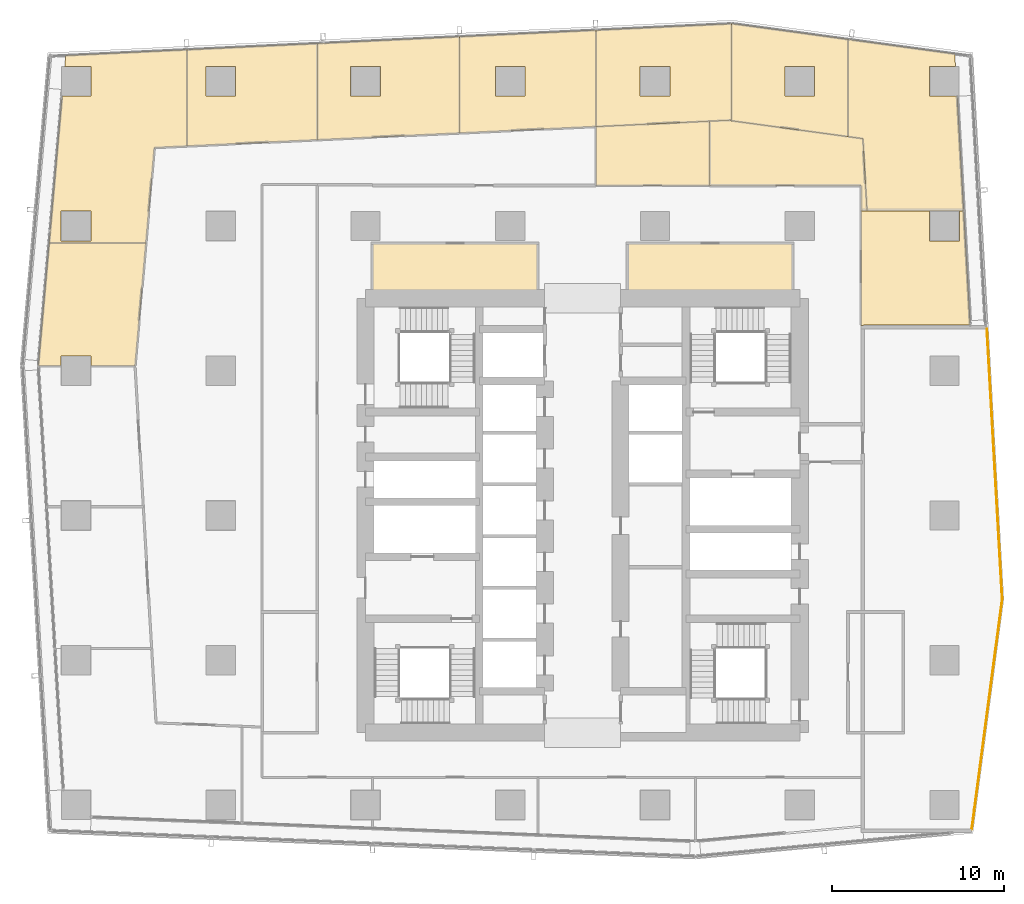
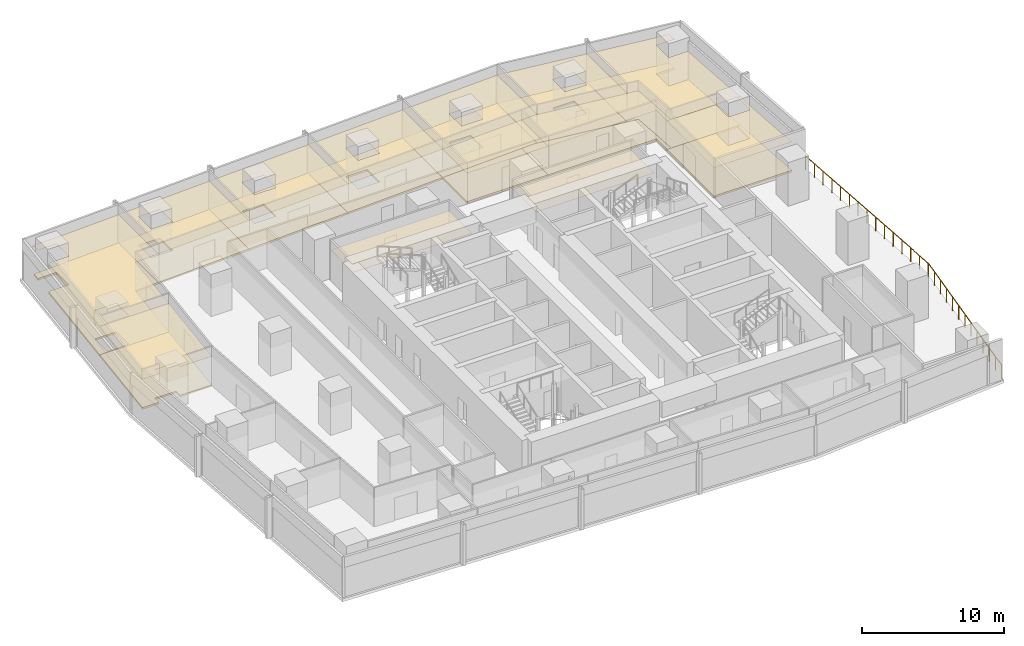
# One storey, part 34 of 34: 24 coverings, 1 railing.
"""IFC4 building model written with IfcOpenShell, lengths in metres."""

from ifc_helpers import new_model, si_unit, direction, frame, origin, origin_2d, place, context, subcontext, project, spatial, polyline, circle, outline, extrude, material, layer, layer_set, type_object, element, save


model = new_model("IFC4")

# Units and contexts
model_context = context("Model", 3, precision=1e-05, world=origin(), true_north=direction((0.0, 1.0)))
body_context = subcontext(model_context, "Body", "Model", "MODEL_VIEW")
ifc_project = project(units=[si_unit("LENGTHUNIT", "METRE"), si_unit("AREAUNIT", "SQUARE_METRE"), si_unit("VOLUMEUNIT", "CUBIC_METRE"), si_unit("PLANEANGLEUNIT", "RADIAN"), si_unit("MASSUNIT", "GRAM", prefix="KILO")], contexts=[model_context])

# Site, building, storey
site_placement = place(None, origin())
site = spatial("IfcSite", under=ifc_project, at=site_placement, CompositionType="ELEMENT")
building_placement = place(site_placement, origin())
building = spatial("IfcBuilding", under=site, at=building_placement, Name="Rekha Terrace Tower", CompositionType="ELEMENT")
storey_placement = place(building_placement, frame((0.0, 0.0, 176.449951171875)))
storey = spatial("IfcBuildingStorey", under=building, at=storey_placement, Name="L44", CompositionType="ELEMENT", Elevation=176.449951171875)

# Coverings
ifc_material_1 = material(Name="Mineral fibre tile in exposed grid", Category="finish")
ifc_layer_1 = layer(ifc_material_1, 0.02001953125)
ifc_layer_set_1 = layer_set([ifc_layer_1], Name="Mineral fibre tile in exposed grid")
covering_type_1 = type_object("IfcCoveringType", Name="CL1 600x1200 office grid ceiling", PredefinedType="CEILING", material=ifc_layer_set_1)
covering_1_placement = place(storey_placement, frame((0.0, 0.0, 2.580078125)))
element("IfcCovering", 1, at=covering_1_placement, inside=storey, type_object=covering_type_1, Name="Ceiling L44-02", PredefinedType="CEILING", context=body_context, shape_type="SweptSolid", body=[
    extrude(outline(polyline([(54.0849609375, 44.62890625), (54.0849609375, 44.660888671875), (60.284912109375, 44.660888671875), (59.908935546875, 51.27587890625), (59.6650390625, 51.27587890625), (59.6650390625, 49.534912109375), (57.93505859375, 49.534912109375), (57.93505859375, 51.27587890625), (53.955078125, 51.27587890625), (53.955078125, 44.62890625), (54.0849609375, 44.62890625)])), origin(), (0.0, 0.0, 1.0), 0.02001953125),
])
covering_2_placement = place(storey_placement, frame((0.0, 0.0, 2.580078125)))
element("IfcCovering", 2, at=covering_2_placement, inside=storey, type_object=covering_type_1, Name="Ceiling L44-03", PredefinedType="CEILING", context=body_context, shape_type="SweptSolid", body=[
    extrude(outline(polyline([(59.39208984375, 60.39208984375), (53.2041015625, 61.23388671875), (53.2041015625, 55.58203125), (54.06298828125, 55.466064453125), (54.300048828125, 51.277099609375), (59.908935546875, 51.277099609375), (59.531005859375, 57.93505859375), (57.93505859375, 57.93505859375), (57.93505859375, 59.6650390625), (59.43310546875, 59.6650390625), (59.39208984375, 60.39208984375)])), origin(), (0.0, 0.0, 1.0), 0.02001953125),
])
covering_3_placement = place(storey_placement, frame((0.0, 0.0, 2.580078125)))
element("IfcCovering", 3, at=covering_3_placement, inside=storey, type_object=covering_type_1, Name="Ceiling L44-04", PredefinedType="CEILING", context=body_context, shape_type="SweptSolid", body=[
    extrude(outline(polyline([(53.202880859375, 55.5830078125), (53.202880859375, 61.23388671875), (46.445068359375, 62.154052734375), (46.445068359375, 56.501953125), (53.202880859375, 55.5830078125)]), holes=[polyline([(51.264892578125, 57.93505859375), (49.534912109375, 57.93505859375), (49.534912109375, 59.6650390625), (51.264892578125, 59.6650390625), (51.264892578125, 57.93505859375)])]), origin(), (0.0, 0.0, 1.0), 0.02001953125),
])
covering_4_placement = place(storey_placement, frame((0.0, 0.0, 2.580078125)))
element("IfcCovering", 4, at=covering_4_placement, inside=storey, type_object=covering_type_1, Name="Ceiling L44-05", PredefinedType="CEILING", context=body_context, shape_type="SweptSolid", body=[
    extrude(outline(polyline([(46.444091796875, 62.14697265625), (38.571044921875, 61.77099609375), (38.571044921875, 56.1650390625), (46.444091796875, 56.541015625), (46.444091796875, 62.14697265625)]), holes=[polyline([(42.864990234375, 59.6650390625), (42.864990234375, 57.93505859375), (41.135009765625, 57.93505859375), (41.135009765625, 59.6650390625), (42.864990234375, 59.6650390625)])]), origin(), (0.0, 0.0, 1.0), 0.02001953125),
])
covering_5_placement = place(storey_placement, frame((0.0, 0.0, 2.580078125)))
element("IfcCovering", 5, at=covering_5_placement, inside=storey, type_object=covering_type_1, Name="Ceiling L44-06", PredefinedType="CEILING", context=body_context, shape_type="SweptSolid", body=[
    extrude(outline(polyline([(45.1708984375, 52.75), (45.1708984375, 56.47998046875), (38.571044921875, 56.1650390625), (38.571044921875, 52.75), (45.1708984375, 52.75)])), origin(), (0.0, 0.0, 1.0), 0.02001953125),
])
covering_6_placement = place(storey_placement, frame((0.0, 0.0, 2.580078125)))
element("IfcCovering", 6, at=covering_6_placement, inside=storey, type_object=covering_type_1, Name="Ceiling L44-O1", PredefinedType="CEILING", context=body_context, shape_type="SweptSolid", body=[
    extrude(outline(polyline([(53.2041015625, 55.5830078125), (46.444091796875, 56.501953125), (46.23291015625, 56.531005859375), (45.1708984375, 56.47998046875), (45.1708984375, 52.75), (53.955078125, 52.75), (53.955078125, 51.27587890625), (54.300048828125, 51.27587890625), (54.06298828125, 55.466064453125), (53.2041015625, 55.58203125), (53.2041015625, 55.5830078125)])), origin(), (0.0, 0.0, 1.0), 0.02001953125),
])
covering_7_placement = place(storey_placement, frame((0.0, 0.0, 2.580078125)))
element("IfcCovering", 7, at=covering_7_placement, inside=storey, type_object=covering_type_1, Name="Ceiling L44-09", PredefinedType="CEILING", context=body_context, shape_type="SweptSolid", body=[
    extrude(outline(polyline([(30.662109375, 61.39306640625), (30.662109375, 55.785888671875), (38.570068359375, 56.1640625), (38.570068359375, 61.77099609375), (30.662109375, 61.39306640625)]), holes=[polyline([(34.465087890625, 57.93505859375), (32.735107421875, 57.93505859375), (32.735107421875, 59.6650390625), (34.465087890625, 59.6650390625), (34.465087890625, 57.93505859375)])]), origin(), (0.0, 0.0, 1.0), 0.02001953125),
])
covering_8_placement = place(storey_placement, frame((0.0, 0.0, 2.580078125)))
element("IfcCovering", 8, at=covering_8_placement, inside=storey, type_object=covering_type_1, Name="Ceiling L44-10", PredefinedType="CEILING", context=body_context, shape_type="SweptSolid", body=[
    extrude(outline(polyline([(22.40087890625, 60.998046875), (22.40087890625, 55.39208984375), (30.660888671875, 55.785888671875), (30.660888671875, 61.39306640625), (22.40087890625, 60.998046875)]), holes=[polyline([(26.06494140625, 57.93505859375), (24.3349609375, 57.93505859375), (24.3349609375, 59.6650390625), (26.06494140625, 59.6650390625), (26.06494140625, 57.93505859375)])]), origin(), (0.0, 0.0, 1.0), 0.02001953125),
])
covering_9_placement = place(storey_placement, frame((0.0, 0.0, 2.580078125)))
element("IfcCovering", 9, at=covering_9_placement, inside=storey, type_object=covering_type_1, Name="Ceiling L44-11", PredefinedType="CEILING", context=body_context, shape_type="SweptSolid", body=[
    extrude(outline(polyline([(14.843017578125, 60.636962890625), (14.843017578125, 55.030029296875), (22.39990234375, 55.39208984375), (22.39990234375, 60.998046875), (14.843017578125, 60.636962890625)]), holes=[polyline([(17.6650390625, 59.6650390625), (17.6650390625, 57.93505859375), (15.93505859375, 57.93505859375), (15.93505859375, 59.6650390625), (17.6650390625, 59.6650390625)])]), origin(), (0.0, 0.0, 1.0), 0.02001953125),
])
covering_10_placement = place(storey_placement, frame((0.0, 0.0, 2.580078125)))
element("IfcCovering", 10, at=covering_10_placement, inside=storey, type_object=covering_type_1, Name="Ceiling L44-12", PredefinedType="CEILING", context=body_context, shape_type="SweptSolid", body=[
    extrude(outline(polyline([(12.948974609375, 54.93994140625), (14.842041015625, 55.030029296875), (14.842041015625, 60.636962890625), (7.801025390625, 60.300048828125), (7.7451171875, 59.6650390625), (9.264892578125, 59.6650390625), (9.264892578125, 57.93505859375), (7.592041015625, 57.93505859375), (6.839111328125, 49.406005859375), (12.4609375, 49.406005859375), (12.948974609375, 54.93994140625)]), holes=[polyline([(9.264892578125, 49.534912109375), (7.534912109375, 49.534912109375), (7.534912109375, 51.264892578125), (9.264892578125, 51.264892578125), (9.264892578125, 49.534912109375)])]), origin(), (0.0, 0.0, 1.0), 0.02001953125),
])
covering_11_placement = place(storey_placement, frame((0.0, 0.0, 2.580078125)))
element("IfcCovering", 11, at=covering_11_placement, inside=storey, type_object=covering_type_1, Name="Ceiling L44-13", PredefinedType="CEILING", context=body_context, shape_type="SweptSolid", body=[
    extrude(outline(polyline([(11.83203125, 42.282958984375), (12.4609375, 49.405029296875), (6.839111328125, 49.405029296875), (6.2099609375, 42.282958984375), (7.534912109375, 42.282958984375), (7.534912109375, 42.864990234375), (9.264892578125, 42.864990234375), (9.264892578125, 42.282958984375), (11.83203125, 42.282958984375)])), origin(), (0.0, 0.0, 1.0), 0.02001953125),
])
ifc_material_2 = material(Name="Fibre cement board", Category="finish")
ifc_layer_2 = layer(ifc_material_2, 0.014892578125)
ifc_layer_set_2 = layer_set([ifc_layer_2], Name="Fibre cement board")
covering_type_2 = type_object("IfcCoveringType", Name="CL2 moisture-resistant board ceiling", PredefinedType="CEILING", material=ifc_layer_set_2)
covering_12_placement = place(storey_placement, frame((0.0, 0.0, 2.5849609375)))
element("IfcCovering", 12, at=covering_12_placement, inside=storey, type_object=covering_type_2, Name="Ceiling L44-WCF", PredefinedType="CEILING", context=body_context, shape_type="SweptSolid", body=[
    extrude(outline(polyline([(50.0, 49.39990234375), (40.39990234375, 49.39990234375), (40.39990234375, 46.199951171875), (50.0, 46.199951171875), (50.0, 49.39990234375)])), origin(), (0.0, 0.0, 1.0), 0.01513671875),
])
covering_13_placement = place(storey_placement, frame((0.0, 0.0, 2.5849609375)))
element("IfcCovering", 13, at=covering_13_placement, inside=storey, type_object=covering_type_2, Name="Ceiling L44-WCF2", PredefinedType="CEILING", context=body_context, shape_type="SweptSolid", body=[
    extrude(outline(polyline([(35.199951171875, 49.39990234375), (25.60009765625, 49.39990234375), (25.60009765625, 46.199951171875), (35.199951171875, 46.199951171875), (35.199951171875, 49.39990234375)])), origin(), (0.0, 0.0, 1.0), 0.01513671875),
])

# Railing
ifc_material_3 = material(Name="Steel guard with vertical balusters", Category="steel")
railing_type = type_object("IfcRailingType", Name="GR2 refuge area guard 1200", PredefinedType="GUARDRAIL", material=ifc_material_3)
railing_placement = place(storey_placement, frame((60.382080078125, 15.39697265625, 0.0)))
element("IfcRailing", 14, at=railing_placement, inside=storey, type_object=railing_type, Name="Refuge area guard L44", PredefinedType="GUARDRAIL", context=body_context, shape_type="SweptSolid", body=[
    extrude(circle(Radius=0.02392578125, at=origin_2d()), frame((0.0, 0.0, 1.17578125), z_axis=(0.131304901282, 0.991342031238, 0.0), x_axis=(-0.991342031238, 0.131304901282, 0.0)), (0.0, 0.0, 1.0), 13.46337890625),
    extrude(circle(Radius=0.02392578125, at=origin_2d()), frame((1.767822265625, 13.346923828125, 1.17578125), z_axis=(-0.05670943861, 0.998390724903, 0.0), x_axis=(-0.998390724903, -0.05670943861, 0.0)), (0.0, 0.0, 1.0), 15.70947265625),
    extrude(circle(Radius=0.02099609375, at=origin_2d()), origin(), (0.0, 0.0, 1.0), 1.15185546875),
    extrude(circle(Radius=0.02099609375, at=origin_2d()), frame((0.147216796875, 1.1123046875, 0.0)), (0.0, 0.0, 1.0), 1.15185546875),
    extrude(circle(Radius=0.02099609375, at=origin_2d()), frame((0.294677734375, 2.224609375, 0.0)), (0.0, 0.0, 1.0), 1.15185546875),
    extrude(circle(Radius=0.02099609375, at=origin_2d()), frame((0.44189453125, 3.336669921875, 0.0)), (0.0, 0.0, 1.0), 1.15185546875),
    extrude(circle(Radius=0.02099609375, at=origin_2d()), frame((0.58935546875, 4.448974609375, 0.0)), (0.0, 0.0, 1.0), 1.15185546875),
    extrude(circle(Radius=0.02099609375, at=origin_2d()), frame((0.736572265625, 5.561279296875, 0.0)), (0.0, 0.0, 1.0), 1.15185546875),
    extrude(circle(Radius=0.02099609375, at=origin_2d()), frame((0.8837890625, 6.67333984375, 0.0)), (0.0, 0.0, 1.0), 1.15185546875),
    extrude(circle(Radius=0.02099609375, at=origin_2d()), frame((1.03125, 7.78564453125, 0.0)), (0.0, 0.0, 1.0), 1.15185546875),
    extrude(circle(Radius=0.02099609375, at=origin_2d()), frame((1.178466796875, 8.89794921875, 0.0)), (0.0, 0.0, 1.0), 1.15185546875),
    extrude(circle(Radius=0.02099609375, at=origin_2d()), frame((1.325927734375, 10.01025390625, 0.0)), (0.0, 0.0, 1.0), 1.15185546875),
    extrude(circle(Radius=0.02099609375, at=origin_2d()), frame((1.47314453125, 11.12255859375, 0.0)), (0.0, 0.0, 1.0), 1.15185546875),
    extrude(circle(Radius=0.02099609375, at=origin_2d()), frame((1.62060546875, 12.234619140625, 0.0)), (0.0, 0.0, 1.0), 1.15185546875),
    extrude(circle(Radius=0.02099609375, at=origin_2d()), frame((1.767822265625, 13.346923828125, 0.0)), (0.0, 0.0, 1.0), 1.15185546875),
    extrude(circle(Radius=0.02099609375, at=origin_2d()), frame((1.7041015625, 14.46728515625, 0.0)), (0.0, 0.0, 1.0), 1.15185546875),
    extrude(circle(Radius=0.02099609375, at=origin_2d()), frame((1.640625, 15.58740234375, 0.0)), (0.0, 0.0, 1.0), 1.15185546875),
    extrude(circle(Radius=0.02099609375, at=origin_2d()), frame((1.576904296875, 16.707763671875, 0.0)), (0.0, 0.0, 1.0), 1.15185546875),
    extrude(circle(Radius=0.02099609375, at=origin_2d()), frame((1.51318359375, 17.828125, 0.0)), (0.0, 0.0, 1.0), 1.15185546875),
    extrude(circle(Radius=0.02099609375, at=origin_2d()), frame((1.44970703125, 18.948486328125, 0.0)), (0.0, 0.0, 1.0), 1.15185546875),
    extrude(circle(Radius=0.02099609375, at=origin_2d()), frame((1.385986328125, 20.068603515625, 0.0)), (0.0, 0.0, 1.0), 1.15185546875),
    extrude(circle(Radius=0.02099609375, at=origin_2d()), frame((1.322265625, 21.18896484375, 0.0)), (0.0, 0.0, 1.0), 1.15185546875),
    extrude(circle(Radius=0.02099609375, at=origin_2d()), frame((1.2587890625, 22.309326171875, 0.0)), (0.0, 0.0, 1.0), 1.15185546875),
    extrude(circle(Radius=0.02099609375, at=origin_2d()), frame((1.195068359375, 23.429443359375, 0.0)), (0.0, 0.0, 1.0), 1.15185546875),
    extrude(circle(Radius=0.02099609375, at=origin_2d()), frame((1.131591796875, 24.5498046875, 0.0)), (0.0, 0.0, 1.0), 1.15185546875),
    extrude(circle(Radius=0.02099609375, at=origin_2d()), frame((1.06787109375, 25.670166015625, 0.0)), (0.0, 0.0, 1.0), 1.15185546875),
    extrude(circle(Radius=0.02099609375, at=origin_2d()), frame((1.004150390625, 26.79052734375, 0.0)), (0.0, 0.0, 1.0), 1.15185546875),
    extrude(circle(Radius=0.02099609375, at=origin_2d()), frame((0.940673828125, 27.91064453125, 0.0)), (0.0, 0.0, 1.0), 1.15185546875),
    extrude(circle(Radius=0.02099609375, at=origin_2d()), frame((0.876953125, 29.031005859375, 0.0)), (0.0, 0.0, 1.0), 1.15185546875),
])

# Coverings
ifc_material_4 = material(Name="Calcium sulphate panels on steel pedestals", Category="steel")
ifc_layer_3 = layer(ifc_material_4, 0.14990234375)
ifc_layer_set_3 = layer_set([ifc_layer_3], Name="Calcium sulphate panels on steel pedestals")
covering_type_3 = type_object("IfcCoveringType", Name="RF1 150 raised access floor", PredefinedType="FLOORING", material=ifc_layer_set_3)
covering_14_placement = place(storey_placement, origin())
element("IfcCovering", 15, at=covering_14_placement, inside=storey, type_object=covering_type_3, Name="Raised floor L44-02", PredefinedType="FLOORING", context=body_context, shape_type="SweptSolid", body=[
    extrude(outline(polyline([(54.0849609375, 44.62890625), (54.0849609375, 44.660888671875), (60.284912109375, 44.660888671875), (59.908935546875, 51.27587890625), (59.6650390625, 51.27587890625), (59.6650390625, 49.534912109375), (57.93505859375, 49.534912109375), (57.93505859375, 51.27587890625), (53.955078125, 51.27587890625), (53.955078125, 44.62890625), (54.0849609375, 44.62890625)])), origin(), (0.0, 0.0, 1.0), 0.150146484375),
])
covering_15_placement = place(storey_placement, origin())
element("IfcCovering", 16, at=covering_15_placement, inside=storey, type_object=covering_type_3, Name="Raised floor L44-03", PredefinedType="FLOORING", context=body_context, shape_type="SweptSolid", body=[
    extrude(outline(polyline([(59.39208984375, 60.39208984375), (53.2041015625, 61.23388671875), (53.2041015625, 55.58203125), (54.06298828125, 55.466064453125), (54.300048828125, 51.277099609375), (59.908935546875, 51.277099609375), (59.531005859375, 57.93505859375), (57.93505859375, 57.93505859375), (57.93505859375, 59.6650390625), (59.43310546875, 59.6650390625), (59.39208984375, 60.39208984375)])), origin(), (0.0, 0.0, 1.0), 0.150146484375),
])
covering_16_placement = place(storey_placement, origin())
element("IfcCovering", 17, at=covering_16_placement, inside=storey, type_object=covering_type_3, Name="Raised floor L44-04", PredefinedType="FLOORING", context=body_context, shape_type="SweptSolid", body=[
    extrude(outline(polyline([(53.202880859375, 55.5830078125), (53.202880859375, 61.23388671875), (46.445068359375, 62.154052734375), (46.445068359375, 56.501953125), (53.202880859375, 55.5830078125)]), holes=[polyline([(51.264892578125, 57.93505859375), (49.534912109375, 57.93505859375), (49.534912109375, 59.6650390625), (51.264892578125, 59.6650390625), (51.264892578125, 57.93505859375)])]), origin(), (0.0, 0.0, 1.0), 0.150146484375),
])
covering_17_placement = place(storey_placement, origin())
element("IfcCovering", 18, at=covering_17_placement, inside=storey, type_object=covering_type_3, Name="Raised floor L44-05", PredefinedType="FLOORING", context=body_context, shape_type="SweptSolid", body=[
    extrude(outline(polyline([(46.444091796875, 62.14697265625), (38.571044921875, 61.77099609375), (38.571044921875, 56.1650390625), (46.444091796875, 56.541015625), (46.444091796875, 62.14697265625)]), holes=[polyline([(42.864990234375, 59.6650390625), (42.864990234375, 57.93505859375), (41.135009765625, 57.93505859375), (41.135009765625, 59.6650390625), (42.864990234375, 59.6650390625)])]), origin(), (0.0, 0.0, 1.0), 0.150146484375),
])
covering_18_placement = place(storey_placement, origin())
element("IfcCovering", 19, at=covering_18_placement, inside=storey, type_object=covering_type_3, Name="Raised floor L44-06", PredefinedType="FLOORING", context=body_context, shape_type="SweptSolid", body=[
    extrude(outline(polyline([(45.1708984375, 52.75), (45.1708984375, 56.47998046875), (38.571044921875, 56.1650390625), (38.571044921875, 52.75), (45.1708984375, 52.75)])), origin(), (0.0, 0.0, 1.0), 0.150146484375),
])
covering_19_placement = place(storey_placement, origin())
element("IfcCovering", 20, at=covering_19_placement, inside=storey, type_object=covering_type_3, Name="Raised floor L44-O1", PredefinedType="FLOORING", context=body_context, shape_type="SweptSolid", body=[
    extrude(outline(polyline([(53.2041015625, 55.5830078125), (46.444091796875, 56.501953125), (46.23291015625, 56.531005859375), (45.1708984375, 56.47998046875), (45.1708984375, 52.75), (53.955078125, 52.75), (53.955078125, 51.27587890625), (54.300048828125, 51.27587890625), (54.06298828125, 55.466064453125), (53.2041015625, 55.58203125), (53.2041015625, 55.5830078125)])), origin(), (0.0, 0.0, 1.0), 0.150146484375),
])
covering_20_placement = place(storey_placement, origin())
element("IfcCovering", 21, at=covering_20_placement, inside=storey, type_object=covering_type_3, Name="Raised floor L44-09", PredefinedType="FLOORING", context=body_context, shape_type="SweptSolid", body=[
    extrude(outline(polyline([(30.662109375, 61.39306640625), (30.662109375, 55.785888671875), (38.570068359375, 56.1640625), (38.570068359375, 61.77099609375), (30.662109375, 61.39306640625)]), holes=[polyline([(34.465087890625, 57.93505859375), (32.735107421875, 57.93505859375), (32.735107421875, 59.6650390625), (34.465087890625, 59.6650390625), (34.465087890625, 57.93505859375)])]), origin(), (0.0, 0.0, 1.0), 0.150146484375),
])
covering_21_placement = place(storey_placement, origin())
element("IfcCovering", 22, at=covering_21_placement, inside=storey, type_object=covering_type_3, Name="Raised floor L44-10", PredefinedType="FLOORING", context=body_context, shape_type="SweptSolid", body=[
    extrude(outline(polyline([(22.40087890625, 60.998046875), (22.40087890625, 55.39208984375), (30.660888671875, 55.785888671875), (30.660888671875, 61.39306640625), (22.40087890625, 60.998046875)]), holes=[polyline([(26.06494140625, 57.93505859375), (24.3349609375, 57.93505859375), (24.3349609375, 59.6650390625), (26.06494140625, 59.6650390625), (26.06494140625, 57.93505859375)])]), origin(), (0.0, 0.0, 1.0), 0.150146484375),
])
covering_22_placement = place(storey_placement, origin())
element("IfcCovering", 23, at=covering_22_placement, inside=storey, type_object=covering_type_3, Name="Raised floor L44-11", PredefinedType="FLOORING", context=body_context, shape_type="SweptSolid", body=[
    extrude(outline(polyline([(14.843017578125, 60.636962890625), (14.843017578125, 55.030029296875), (22.39990234375, 55.39208984375), (22.39990234375, 60.998046875), (14.843017578125, 60.636962890625)]), holes=[polyline([(17.6650390625, 59.6650390625), (17.6650390625, 57.93505859375), (15.93505859375, 57.93505859375), (15.93505859375, 59.6650390625), (17.6650390625, 59.6650390625)])]), origin(), (0.0, 0.0, 1.0), 0.150146484375),
])
covering_23_placement = place(storey_placement, origin())
element("IfcCovering", 24, at=covering_23_placement, inside=storey, type_object=covering_type_3, Name="Raised floor L44-12", PredefinedType="FLOORING", context=body_context, shape_type="SweptSolid", body=[
    extrude(outline(polyline([(12.948974609375, 54.93994140625), (14.842041015625, 55.030029296875), (14.842041015625, 60.636962890625), (7.801025390625, 60.300048828125), (7.7451171875, 59.6650390625), (9.264892578125, 59.6650390625), (9.264892578125, 57.93505859375), (7.592041015625, 57.93505859375), (6.839111328125, 49.406005859375), (12.4609375, 49.406005859375), (12.948974609375, 54.93994140625)]), holes=[polyline([(9.264892578125, 49.534912109375), (7.534912109375, 49.534912109375), (7.534912109375, 51.264892578125), (9.264892578125, 51.264892578125), (9.264892578125, 49.534912109375)])]), origin(), (0.0, 0.0, 1.0), 0.150146484375),
])
covering_24_placement = place(storey_placement, origin())
element("IfcCovering", 25, at=covering_24_placement, inside=storey, type_object=covering_type_3, Name="Raised floor L44-13", PredefinedType="FLOORING", context=body_context, shape_type="SweptSolid", body=[
    extrude(outline(polyline([(11.83203125, 42.282958984375), (12.4609375, 49.405029296875), (6.839111328125, 49.405029296875), (6.2099609375, 42.282958984375), (7.534912109375, 42.282958984375), (7.534912109375, 42.864990234375), (9.264892578125, 42.864990234375), (9.264892578125, 42.282958984375), (11.83203125, 42.282958984375)])), origin(), (0.0, 0.0, 1.0), 0.150146484375),
])

save(model, "model.ifc")
